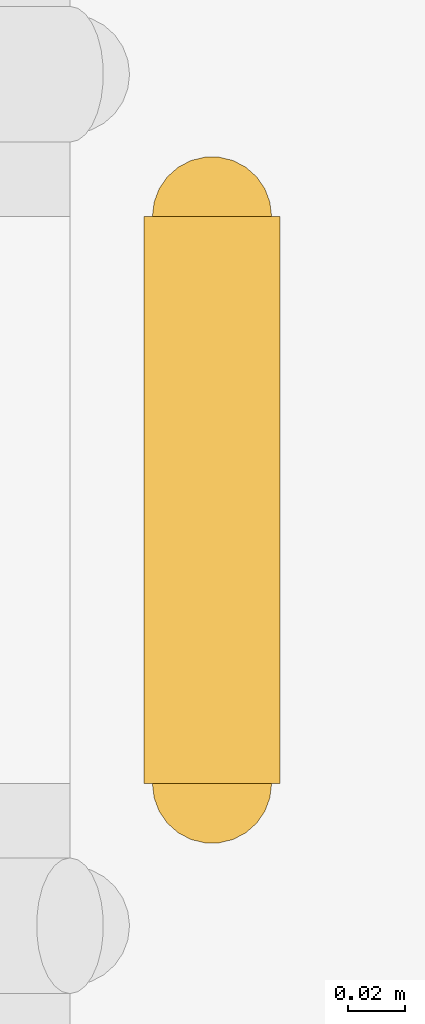
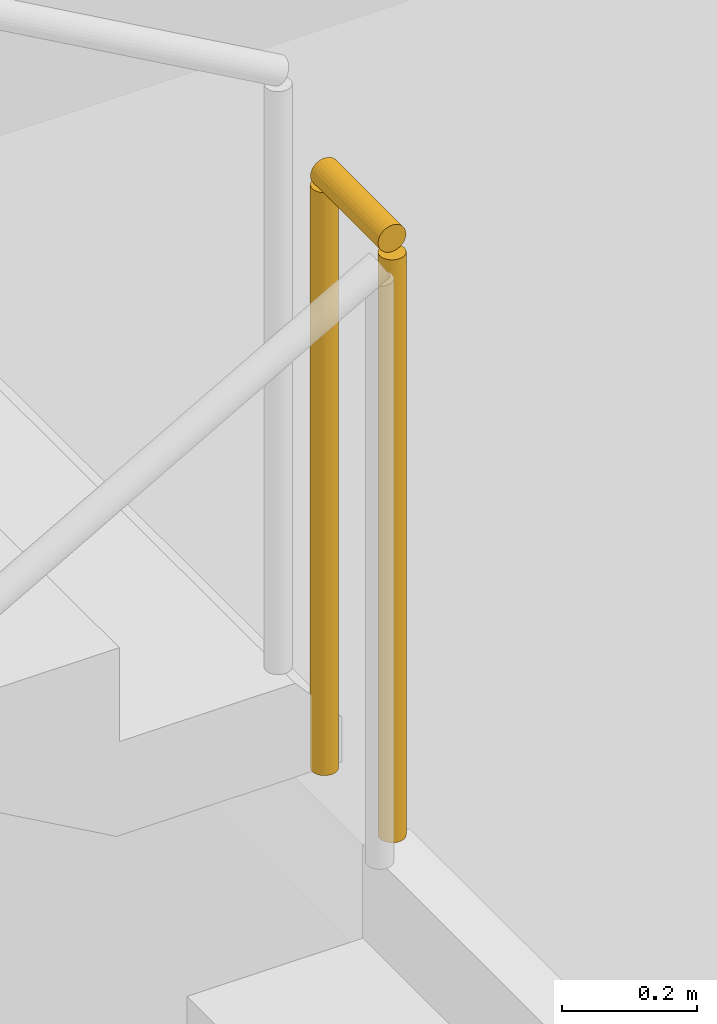
# One storey, part 102 of 103: 1 railing.
"""IFC4 building model written with IfcOpenShell, lengths in metres."""

from ifc_helpers import new_model, si_unit, direction, frame, origin, origin_2d, place, context, subcontext, project, spatial, circle, extrude, material, type_object, element, save


model = new_model("IFC4")

# Units and contexts
model_context = context("Model", 3, precision=1e-05, world=origin(), true_north=direction((0.0, 1.0)))
body_context = subcontext(model_context, "Body", "Model", "MODEL_VIEW")
ifc_project = project(units=[si_unit("LENGTHUNIT", "METRE"), si_unit("AREAUNIT", "SQUARE_METRE"), si_unit("VOLUMEUNIT", "CUBIC_METRE"), si_unit("PLANEANGLEUNIT", "RADIAN"), si_unit("MASSUNIT", "GRAM", prefix="KILO")], contexts=[model_context])

# Site, building, storey
site_placement = place(None, origin())
site = spatial("IfcSite", under=ifc_project, at=site_placement, CompositionType="ELEMENT")
building_placement = place(site_placement, origin())
building = spatial("IfcBuilding", under=site, at=building_placement, Name="Dunvalen Ferry Terminal", CompositionType="ELEMENT")
storey_placement = place(building_placement, origin())
storey = spatial("IfcBuildingStorey", under=building, at=storey_placement, Name="L00", CompositionType="ELEMENT", Elevation=0.0)

# Railing
ifc_material = material(Name="Painted galvanised steel S275", Category="steel")
railing_type = type_object("IfcRailingType", Name="INT-RL-STGRD", PredefinedType="GUARDRAIL", material=ifc_material)
railing_placement = place(storey_placement, frame((128.300048828125, 112.300048828125, 2.8798828125)))
element("IfcRailing", 1, at=railing_placement, inside=storey, type_object=railing_type, Name="L00 ST12 stair guard 2", PredefinedType="GUARDRAIL", context=body_context, shape_type="SweptSolid", body=[
    extrude(circle(Radius=0.02392578125, at=origin_2d()), frame((0.0, 0.0, 1.076171875), z_axis=(0.0, 1.0, 0.0), x_axis=(-1.0, 0.0, 0.0)), (0.0, 0.0, 1.0), 0.199951171875),
    extrude(circle(Radius=0.02099609375, at=origin_2d()), origin(), (0.0, 0.0, 1.0), 1.052001953125),
    extrude(circle(Radius=0.02099609375, at=origin_2d()), frame((0.0, 0.199951171875, 0.0)), (0.0, 0.0, 1.0), 1.052001953125),
])

save(model, "model.ifc")
